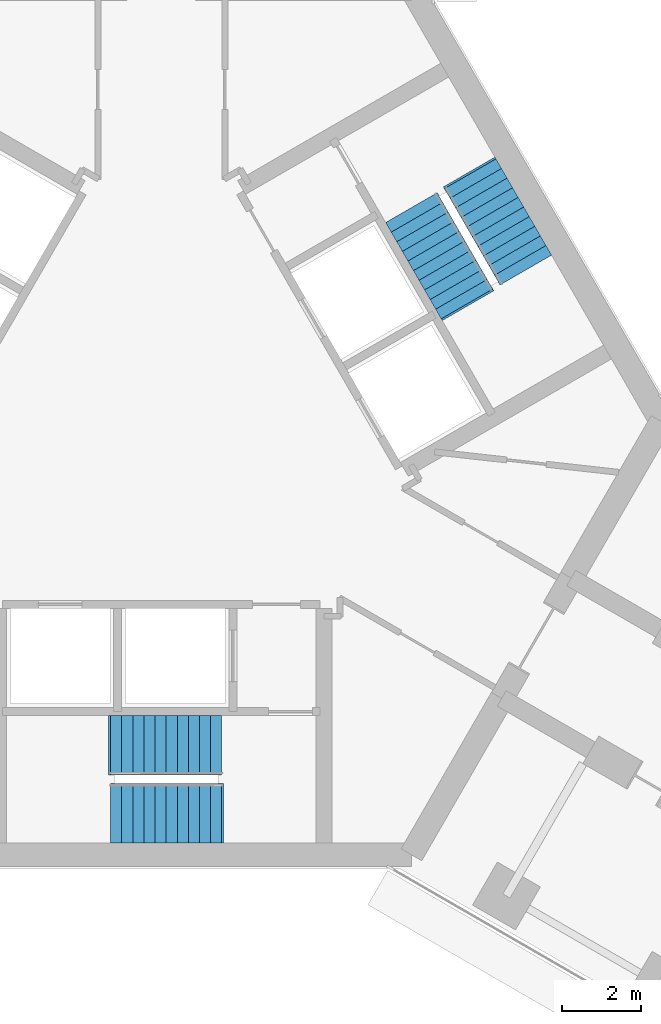
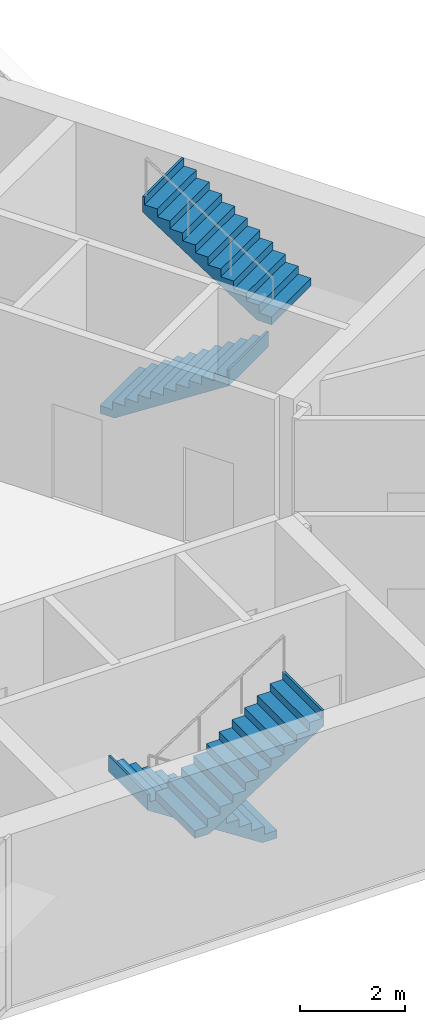
# One storey, part 22 of 23: 4 stair flights, 2 elements without a shape of their own.
"""IFC4 building model written with IfcOpenShell, lengths in metres."""

from ifc_helpers import new_model, si_unit, direction, frame, origin, place, context, subcontext, project, spatial, polyline, outline, extrude, material, type_object, element, aggregate, save


model = new_model("IFC4")

# Units and contexts
model_context = context("Model", 3, precision=1e-05, world=origin(), true_north=direction((0.0, 1.0)))
body_context = subcontext(model_context, "Body", "Model", "MODEL_VIEW")
ifc_project = project(units=[si_unit("LENGTHUNIT", "METRE"), si_unit("AREAUNIT", "SQUARE_METRE"), si_unit("VOLUMEUNIT", "CUBIC_METRE"), si_unit("PLANEANGLEUNIT", "RADIAN"), si_unit("MASSUNIT", "GRAM", prefix="KILO")], contexts=[model_context])

# Site, building, storey
site_placement = place(None, origin())
site = spatial("IfcSite", under=ifc_project, at=site_placement, CompositionType="ELEMENT")
building_placement = place(site_placement, origin())
building = spatial("IfcBuilding", under=site, at=building_placement, Name="Upepo Twin Towers", CompositionType="ELEMENT")
storey_placement = place(building_placement, frame((0.0, 0.0, 145.5)))
storey = spatial("IfcBuildingStorey", under=building, at=storey_placement, Name="L35", CompositionType="ELEMENT", Elevation=145.5)

# Stair, stair flights
ifc_material_1 = material(Name="Concrete C40/50", Category="concrete")
stair_type = type_object("IfcStairType", Name="Core stair, two flights", PredefinedType="HALF_TURN_STAIR", material=ifc_material_1)
stair_1_placement = place(storey_placement, origin())
stair_1 = element("IfcStair", 1, at=stair_1_placement, inside=storey, type_object=stair_type, Name="T2 stair S1 L35", PredefinedType="HALF_TURN_STAIR")
ifc_material_2 = material(Name="Concrete C40/50", Category="concrete")
stair_flight_type = type_object("IfcStairFlightType", Name="Stair flight 1500 RC", PredefinedType="STRAIGHT", material=ifc_material_2)
stair_flight_1_placement = place(storey_placement, frame((60.02001953125, -26.14990234375, 0.0), z_axis=(0.0, 0.0, 1.0), x_axis=(-1.0, 0.0, 0.0)))
stair_flight_1 = element("IfcStairFlight", 2, at=stair_flight_1_placement, type_object=stair_flight_type, Name="Stair S1 flight 1", NumberOfRisers=11, NumberOfTreads=10, PredefinedType="STRAIGHT", RiserHeight=0.181818182, TreadLength=0.28, context=body_context, shape_type="SweptSolid", body=[
    extrude(outline(polyline([(0.0, 0.0), (0.0, 0.181884765625), (0.280029296875, 0.181884765625), (0.280029296875, 0.363525390625), (0.56005859375, 0.363525390625), (0.56005859375, 0.54541015625), (0.840087890625, 0.54541015625), (0.840087890625, 0.727294921875), (1.1201171875, 0.727294921875), (1.1201171875, 0.9091796875), (1.39990234375, 0.9091796875), (1.39990234375, 1.0908203125), (1.679931640625, 1.0908203125), (1.679931640625, 1.272705078125), (1.9599609375, 1.272705078125), (1.9599609375, 1.45458984375), (2.239990234375, 1.45458984375), (2.239990234375, 1.636474609375), (2.52001953125, 1.636474609375), (2.52001953125, 1.818115234375), (2.800048828125, 1.818115234375), (2.800048828125, 2.0), (2.85009765625, 2.0), (2.85009765625, 1.639404296875), (0.3251953125, 0.0), (0.0, 0.0)])), frame((0.0, 0.75, 0.0), z_axis=(0.0, -1.0, 0.0), x_axis=(1.0, 0.0, 0.0)), (0.0, 0.0, 1.0), 1.5),
])
stair_flight_2_placement = place(storey_placement, frame((57.219970703125, -27.8583984375, 2.0), z_axis=(0.0, 0.0, 1.0), x_axis=(1.0, 0.0, 0.0)))
stair_flight_2 = element("IfcStairFlight", 3, at=stair_flight_2_placement, type_object=stair_flight_type, Name="Stair S1 flight 2", NumberOfRisers=11, NumberOfTreads=10, PredefinedType="STRAIGHT", RiserHeight=0.181818182, TreadLength=0.28, context=body_context, shape_type="SweptSolid", body=[
    extrude(outline(polyline([(0.0, 0.0), (0.0, 0.181884765625), (0.280029296875, 0.181884765625), (0.280029296875, 0.363525390625), (0.56005859375, 0.363525390625), (0.56005859375, 0.54541015625), (0.840087890625, 0.54541015625), (0.840087890625, 0.727294921875), (1.1201171875, 0.727294921875), (1.1201171875, 0.9091796875), (1.39990234375, 0.9091796875), (1.39990234375, 1.0908203125), (1.679931640625, 1.0908203125), (1.679931640625, 1.272705078125), (1.9599609375, 1.272705078125), (1.9599609375, 1.45458984375), (2.239990234375, 1.45458984375), (2.239990234375, 1.636474609375), (2.52001953125, 1.636474609375), (2.52001953125, 1.818115234375), (2.800048828125, 1.818115234375), (2.800048828125, 2.0), (2.85009765625, 2.0), (2.85009765625, 1.639404296875), (0.3251953125, 0.0), (0.0, 0.0)])), frame((0.0, 0.75, 0.0), z_axis=(0.0, -1.0, 0.0), x_axis=(1.0, 0.0, 0.0)), (0.0, 0.0, 1.0), 1.5),
])
aggregate(stair_1, [stair_flight_1, stair_flight_2])

stair_2_placement = place(storey_placement, origin())
stair_2 = element("IfcStair", 4, at=stair_2_placement, inside=storey, type_object=stair_type, Name="T2 stair S2 L35", PredefinedType="HALF_TURN_STAIR")
stair_flight_3_placement = place(storey_placement, frame((64.798095703125, -12.608642578125, 0.0), z_axis=(0.0, 0.0, 1.0), x_axis=(0.5, -0.866025403784, 0.0)))
stair_flight_3 = element("IfcStairFlight", 5, at=stair_flight_3_placement, type_object=stair_flight_type, Name="Stair S2 flight 1", NumberOfRisers=11, NumberOfTreads=10, PredefinedType="STRAIGHT", RiserHeight=0.181818182, TreadLength=0.28, context=body_context, shape_type="SweptSolid", body=[
    extrude(outline(polyline([(0.0, 0.0), (0.0, 0.181884765625), (0.280029296875, 0.181884765625), (0.280029296875, 0.363525390625), (0.56005859375, 0.363525390625), (0.56005859375, 0.54541015625), (0.840087890625, 0.54541015625), (0.840087890625, 0.727294921875), (1.1201171875, 0.727294921875), (1.1201171875, 0.9091796875), (1.39990234375, 0.9091796875), (1.39990234375, 1.0908203125), (1.679931640625, 1.0908203125), (1.679931640625, 1.272705078125), (1.9599609375, 1.272705078125), (1.9599609375, 1.45458984375), (2.239990234375, 1.45458984375), (2.239990234375, 1.636474609375), (2.52001953125, 1.636474609375), (2.52001953125, 1.818115234375), (2.800048828125, 1.818115234375), (2.800048828125, 2.0), (2.85009765625, 2.0), (2.85009765625, 1.639404296875), (0.3251953125, 0.0), (0.0, 0.0)])), frame((0.0, 0.75, 0.0), z_axis=(0.0, -1.0, 0.0), x_axis=(1.0, 0.0, 0.0)), (0.0, 0.0, 1.0), 1.5),
])
stair_flight_4_placement = place(storey_placement, frame((67.677490234375, -14.179443359375, 2.0), z_axis=(0.0, 0.0, 1.0), x_axis=(-0.5, 0.866025403784, 0.0)))
stair_flight_4 = element("IfcStairFlight", 6, at=stair_flight_4_placement, type_object=stair_flight_type, Name="Stair S2 flight 2", NumberOfRisers=11, NumberOfTreads=10, PredefinedType="STRAIGHT", RiserHeight=0.181818182, TreadLength=0.28, context=body_context, shape_type="SweptSolid", body=[
    extrude(outline(polyline([(0.0, 0.0), (0.0, 0.181884765625), (0.280029296875, 0.181884765625), (0.280029296875, 0.363525390625), (0.56005859375, 0.363525390625), (0.56005859375, 0.54541015625), (0.840087890625, 0.54541015625), (0.840087890625, 0.727294921875), (1.1201171875, 0.727294921875), (1.1201171875, 0.9091796875), (1.39990234375, 0.9091796875), (1.39990234375, 1.0908203125), (1.679931640625, 1.0908203125), (1.679931640625, 1.272705078125), (1.9599609375, 1.272705078125), (1.9599609375, 1.45458984375), (2.239990234375, 1.45458984375), (2.239990234375, 1.636474609375), (2.52001953125, 1.636474609375), (2.52001953125, 1.818115234375), (2.800048828125, 1.818115234375), (2.800048828125, 2.0), (2.85009765625, 2.0), (2.85009765625, 1.639404296875), (0.3251953125, 0.0), (0.0, 0.0)])), frame((0.0, 0.75, 0.0), z_axis=(0.0, -1.0, 0.0), x_axis=(1.0, 0.0, 0.0)), (0.0, 0.0, 1.0), 1.5),
])
aggregate(stair_2, [stair_flight_3, stair_flight_4])

save(model, "model.ifc")
